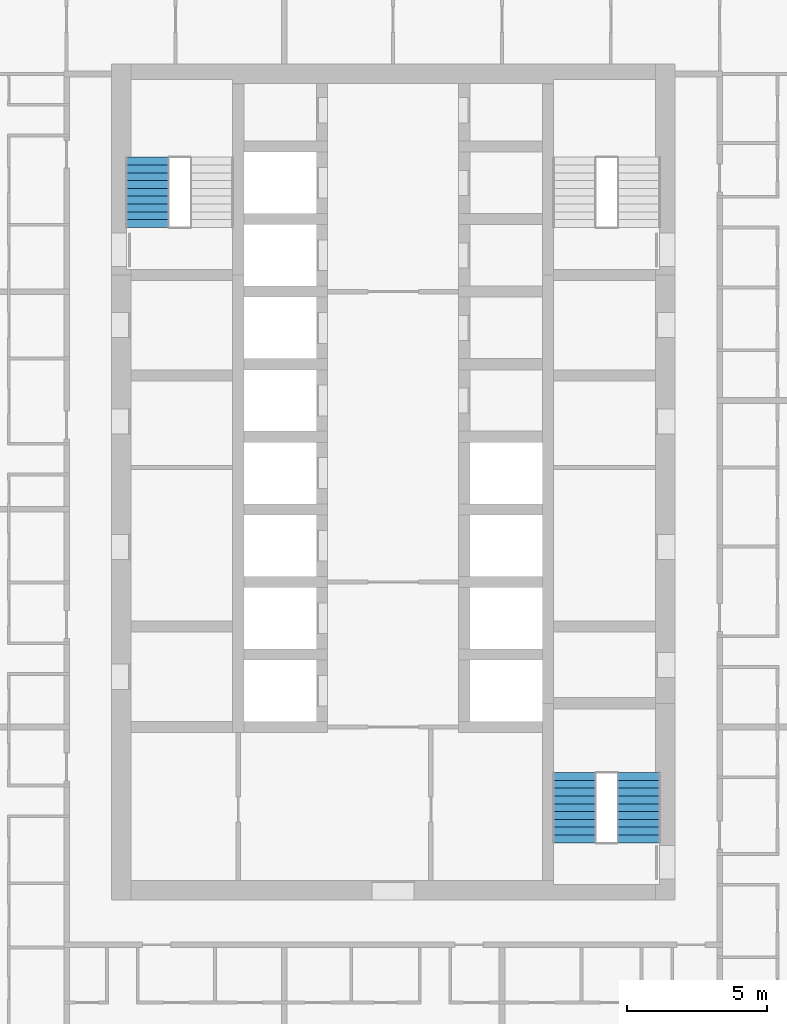
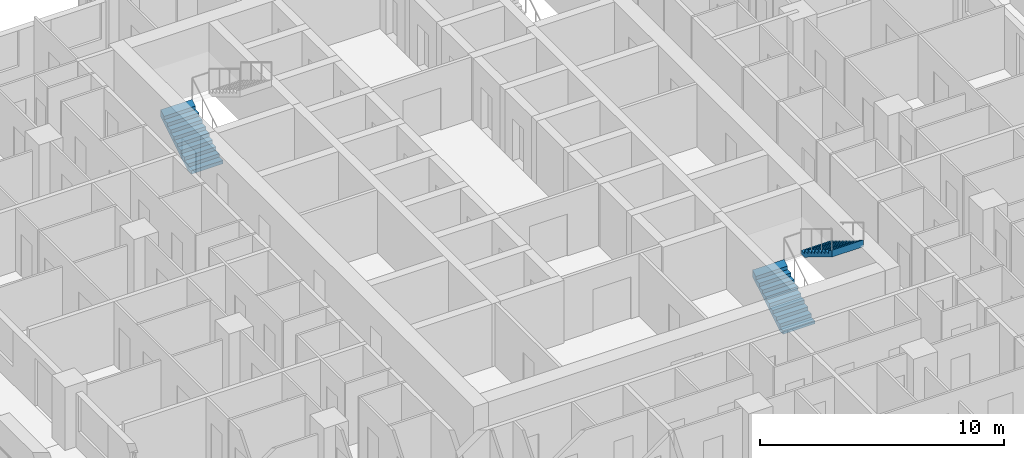
# One storey, part 14 of 17: 3 stair flights, 2 elements without a shape of their own.
"""IFC4 building model written with IfcOpenShell, lengths in metres."""

from ifc_helpers import new_model, si_unit, direction, frame, origin, place, context, subcontext, project, spatial, triangles, material, type_object, element, aggregate, save


model = new_model("IFC4")

# Units and contexts
model_context = context("Model", 3, precision=1e-05, world=origin(), true_north=direction((0.0, 1.0)))
body_context = subcontext(model_context, "Body", "Model", "MODEL_VIEW")
ifc_project = project(units=[si_unit("LENGTHUNIT", "METRE"), si_unit("AREAUNIT", "SQUARE_METRE"), si_unit("VOLUMEUNIT", "CUBIC_METRE"), si_unit("PLANEANGLEUNIT", "RADIAN"), si_unit("MASSUNIT", "GRAM", prefix="KILO")], contexts=[model_context])

# Site, building, storey
site_placement = place(None, origin())
site = spatial("IfcSite", under=ifc_project, at=site_placement, CompositionType="ELEMENT")
building_placement = place(site_placement, origin())
building = spatial("IfcBuilding", under=site, at=building_placement, Name="Ludao Terraces", CompositionType="ELEMENT")
storey_placement = place(building_placement, frame((0.0, 0.0, 39.89990234375)))
storey = spatial("IfcBuildingStorey", under=building, at=storey_placement, Name="L10", CompositionType="ELEMENT", Elevation=39.89990234375)

# Stair, stair flight
ifc_material = material(Name="Concrete C40", Category="concrete")
stair_type = type_object("IfcStairType", Name="INT Stair", PredefinedType="HALF_TURN_STAIR", material=ifc_material)
stair_1_placement = place(storey_placement, origin())
stair_1 = element("IfcStair", 1, at=stair_1_placement, inside=storey, type_object=stair_type, Name="EXIT STAIR 1", PredefinedType="HALF_TURN_STAIR")
stair_flight_type = type_object("IfcStairFlightType", Name="INT Stair flight", PredefinedType="STRAIGHT", material=ifc_material)
stair_flight_1_placement = place(storey_placement, frame((76.199951171875, 79.0, 0.0), z_axis=(0.0, 0.0, 1.0), x_axis=(0.0, 1.0, 0.0)))
stair_flight_1 = element("IfcStairFlight", 2, at=stair_flight_1_placement, type_object=stair_flight_type, Name="ST1 flight 1", NumberOfRisers=10, NumberOfTreads=9, PredefinedType="STRAIGHT", RiserHeight=0.17, TreadLength=0.28, context=body_context, shape_type="Tessellation", body=[
    triangles([(0.0, -0.75, 0.0), (0.0, -0.5, 0.0), (0.0, -0.25, 0.0), (0.0, 0.0, 0.0), (0.0, 0.25, 0.0), (0.0, 0.5, 0.0), (0.0, 0.75, 0.0), (0.0, -0.75, 0.169921875), (0.0, -0.5, 0.169921875), (0.0, -0.25, 0.169921875), (0.0, 0.0, 0.169921875), (0.0, 0.25, 0.169921875), (0.0, 0.5, 0.169921875), (0.0, 0.75, 0.169921875), (0.280029296875, -0.75, 0.169921875), (0.280029296875, -0.5, 0.169921875), (0.280029296875, -0.25, 0.169921875), (0.280029296875, 0.0, 0.169921875), (0.280029296875, 0.25, 0.169921875), (0.280029296875, 0.5, 0.169921875), (0.280029296875, 0.75, 0.169921875), (0.280029296875, -0.75, 0.340087890625), (0.280029296875, -0.5, 0.340087890625), (0.280029296875, -0.25, 0.340087890625), (0.280029296875, 0.0, 0.340087890625), (0.280029296875, 0.25, 0.340087890625), (0.280029296875, 0.5, 0.340087890625), (0.280029296875, 0.75, 0.340087890625), (0.56005859375, -0.75, 0.340087890625), (0.56005859375, -0.5, 0.340087890625), (0.56005859375, -0.25, 0.340087890625), (0.56005859375, 0.0, 0.340087890625), (0.56005859375, 0.25, 0.340087890625), (0.56005859375, 0.5, 0.340087890625), (0.56005859375, 0.75, 0.340087890625), (0.56005859375, -0.75, 0.510009765625), (0.56005859375, -0.5, 0.510009765625), (0.56005859375, -0.25, 0.510009765625), (0.56005859375, 0.0, 0.510009765625), (0.56005859375, 0.25, 0.510009765625), (0.56005859375, 0.5, 0.510009765625), (0.56005859375, 0.75, 0.510009765625), (0.840087890625, -0.75, 0.510009765625), (0.840087890625, -0.5, 0.510009765625), (0.840087890625, -0.25, 0.510009765625), (0.840087890625, 0.0, 0.510009765625), (0.840087890625, 0.25, 0.510009765625), (0.840087890625, 0.5, 0.510009765625), (0.840087890625, 0.75, 0.510009765625), (0.840087890625, -0.75, 0.679931640625), (0.840087890625, -0.5, 0.679931640625), (0.840087890625, -0.25, 0.679931640625), (0.840087890625, 0.0, 0.679931640625), (0.840087890625, 0.25, 0.679931640625), (0.840087890625, 0.5, 0.679931640625), (0.840087890625, 0.75, 0.679931640625), (1.1201171875, -0.75, 0.679931640625), (1.1201171875, -0.5, 0.679931640625), (1.1201171875, -0.25, 0.679931640625), (1.1201171875, 0.0, 0.679931640625), (1.1201171875, 0.25, 0.679931640625), (1.1201171875, 0.5, 0.679931640625), (1.1201171875, 0.75, 0.679931640625), (1.1201171875, -0.75, 0.85009765625), (1.1201171875, -0.5, 0.85009765625), (1.1201171875, -0.25, 0.85009765625), (1.1201171875, 0.0, 0.85009765625), (1.1201171875, 0.25, 0.85009765625), (1.1201171875, 0.5, 0.85009765625), (1.1201171875, 0.75, 0.85009765625), (1.39990234375, -0.75, 0.85009765625), (1.39990234375, -0.5, 0.85009765625), (1.39990234375, -0.25, 0.85009765625), (1.39990234375, 0.0, 0.85009765625), (1.39990234375, 0.25, 0.85009765625), (1.39990234375, 0.5, 0.85009765625), (1.39990234375, 0.75, 0.85009765625), (1.39990234375, -0.75, 1.02001953125), (1.39990234375, -0.5, 1.02001953125), (1.39990234375, -0.25, 1.02001953125), (1.39990234375, 0.0, 1.02001953125), (1.39990234375, 0.25, 1.02001953125), (1.39990234375, 0.5, 1.02001953125), (1.39990234375, 0.75, 1.02001953125), (1.679931640625, -0.75, 1.02001953125), (1.679931640625, -0.5, 1.02001953125), (1.679931640625, -0.25, 1.02001953125), (1.679931640625, 0.0, 1.02001953125), (1.679931640625, 0.25, 1.02001953125), (1.679931640625, 0.5, 1.02001953125), (1.679931640625, 0.75, 1.02001953125), (1.679931640625, -0.75, 1.18994140625), (1.679931640625, -0.5, 1.18994140625), (1.679931640625, -0.25, 1.18994140625), (1.679931640625, 0.0, 1.18994140625), (1.679931640625, 0.25, 1.18994140625), (1.679931640625, 0.5, 1.18994140625), (1.679931640625, 0.75, 1.18994140625), (1.9599609375, -0.75, 1.18994140625), (1.9599609375, -0.5, 1.18994140625), (1.9599609375, -0.25, 1.18994140625), (1.9599609375, 0.0, 1.18994140625), (1.9599609375, 0.25, 1.18994140625), (1.9599609375, 0.5, 1.18994140625), (1.9599609375, 0.75, 1.18994140625), (1.9599609375, -0.75, 1.360107421875), (1.9599609375, -0.5, 1.360107421875), (1.9599609375, -0.25, 1.360107421875), (1.9599609375, 0.0, 1.360107421875), (1.9599609375, 0.25, 1.360107421875), (1.9599609375, 0.5, 1.360107421875), (1.9599609375, 0.75, 1.360107421875), (2.239990234375, -0.75, 1.360107421875), (2.239990234375, -0.5, 1.360107421875), (2.239990234375, -0.25, 1.360107421875), (2.239990234375, 0.0, 1.360107421875), (2.239990234375, 0.25, 1.360107421875), (2.239990234375, 0.5, 1.360107421875), (2.239990234375, 0.75, 1.360107421875), (2.239990234375, -0.75, 1.530029296875), (2.239990234375, -0.5, 1.530029296875), (2.239990234375, -0.25, 1.530029296875), (2.239990234375, 0.0, 1.530029296875), (2.239990234375, 0.25, 1.530029296875), (2.239990234375, 0.5, 1.530029296875), (2.239990234375, 0.75, 1.530029296875), (2.52001953125, -0.75, 1.699951171875), (2.52001953125, -0.5, 1.699951171875), (2.52001953125, -0.25, 1.699951171875), (2.52001953125, 0.0, 1.699951171875), (2.52001953125, 0.25, 1.699951171875), (2.52001953125, 0.5, 1.699951171875), (2.52001953125, 0.75, 1.699951171875), (2.52001953125, -0.75, 1.354736328125), (2.52001953125, -0.5, 1.354736328125), (2.52001953125, -0.25, 1.354736328125), (2.52001953125, 0.0, 1.354736328125), (2.52001953125, 0.25, 1.354736328125), (2.52001953125, 0.5, 1.354736328125), (2.52001953125, 0.75, 1.354736328125), (0.288818359375, -0.75, 0.0), (0.288818359375, -0.5, 0.0), (0.288818359375, -0.25, 0.0), (0.288818359375, 0.0, 0.0), (0.288818359375, 0.25, 0.0), (0.288818359375, 0.5, 0.0), (0.288818359375, 0.75, 0.0)], [[1, 141, 134], [7, 140, 147], [134, 127, 120], [140, 126, 133], [134, 120, 113], [140, 119, 126], [134, 113, 106], [140, 112, 119], [134, 106, 99], [140, 105, 112], [99, 92, 85], [105, 91, 98], [134, 99, 85], [140, 91, 105], [85, 78, 71], [91, 77, 84], [134, 85, 71], [140, 77, 91], [71, 64, 57], [77, 63, 70], [134, 71, 57], [140, 63, 77], [57, 50, 43], [63, 49, 56], [134, 57, 43], [140, 49, 63], [43, 36, 29], [49, 35, 42], [134, 43, 29], [140, 35, 49], [29, 22, 15], [35, 21, 28], [134, 29, 15], [140, 21, 35], [1, 134, 15], [7, 21, 140], [15, 8, 1], [21, 7, 14], [1, 9, 2], [1, 8, 9], [2, 10, 3], [2, 9, 10], [3, 11, 4], [3, 10, 11], [4, 12, 5], [4, 11, 12], [5, 13, 6], [5, 12, 13], [6, 14, 7], [6, 13, 14], [8, 16, 9], [8, 15, 16], [9, 17, 10], [9, 16, 17], [10, 18, 11], [10, 17, 18], [11, 19, 12], [11, 18, 19], [12, 20, 13], [12, 19, 20], [13, 21, 14], [13, 20, 21], [15, 23, 16], [15, 22, 23], [16, 24, 17], [16, 23, 24], [17, 25, 18], [17, 24, 25], [18, 26, 19], [18, 25, 26], [19, 27, 20], [19, 26, 27], [20, 28, 21], [20, 27, 28], [22, 30, 23], [22, 29, 30], [23, 31, 24], [23, 30, 31], [24, 32, 25], [24, 31, 32], [25, 33, 26], [25, 32, 33], [26, 34, 27], [26, 33, 34], [27, 35, 28], [27, 34, 35], [29, 37, 30], [29, 36, 37], [30, 38, 31], [30, 37, 38], [31, 39, 32], [31, 38, 39], [32, 40, 33], [32, 39, 40], [33, 41, 34], [33, 40, 41], [34, 42, 35], [34, 41, 42], [36, 44, 37], [36, 43, 44], [37, 45, 38], [37, 44, 45], [38, 46, 39], [38, 45, 46], [39, 47, 40], [39, 46, 47], [40, 48, 41], [40, 47, 48], [41, 49, 42], [41, 48, 49], [43, 51, 44], [43, 50, 51], [44, 52, 45], [44, 51, 52], [45, 53, 46], [45, 52, 53], [46, 54, 47], [46, 53, 54], [47, 55, 48], [47, 54, 55], [48, 56, 49], [48, 55, 56], [50, 58, 51], [50, 57, 58], [51, 59, 52], [51, 58, 59], [52, 60, 53], [52, 59, 60], [53, 61, 54], [53, 60, 61], [54, 62, 55], [54, 61, 62], [55, 63, 56], [55, 62, 63], [57, 65, 58], [57, 64, 65], [58, 66, 59], [58, 65, 66], [59, 67, 60], [59, 66, 67], [60, 68, 61], [60, 67, 68], [61, 69, 62], [61, 68, 69], [62, 70, 63], [62, 69, 70], [64, 72, 65], [64, 71, 72], [65, 73, 66], [65, 72, 73], [66, 74, 67], [66, 73, 74], [67, 75, 68], [67, 74, 75], [68, 76, 69], [68, 75, 76], [69, 77, 70], [69, 76, 77], [71, 79, 72], [71, 78, 79], [72, 80, 73], [72, 79, 80], [73, 81, 74], [73, 80, 81], [74, 82, 75], [74, 81, 82], [75, 83, 76], [75, 82, 83], [76, 84, 77], [76, 83, 84], [78, 86, 79], [78, 85, 86], [79, 87, 80], [79, 86, 87], [80, 88, 81], [80, 87, 88], [81, 89, 82], [81, 88, 89], [82, 90, 83], [82, 89, 90], [83, 91, 84], [83, 90, 91], [85, 93, 86], [85, 92, 93], [86, 94, 87], [86, 93, 94], [87, 95, 88], [87, 94, 95], [88, 96, 89], [88, 95, 96], [89, 97, 90], [89, 96, 97], [90, 98, 91], [90, 97, 98], [92, 100, 93], [92, 99, 100], [93, 101, 94], [93, 100, 101], [94, 102, 95], [94, 101, 102], [95, 103, 96], [95, 102, 103], [96, 104, 97], [96, 103, 104], [97, 105, 98], [97, 104, 105], [99, 107, 100], [99, 106, 107], [100, 108, 101], [100, 107, 108], [101, 109, 102], [101, 108, 109], [102, 110, 103], [102, 109, 110], [103, 111, 104], [103, 110, 111], [104, 112, 105], [104, 111, 112], [106, 114, 107], [106, 113, 114], [107, 115, 108], [107, 114, 115], [108, 116, 109], [108, 115, 116], [109, 117, 110], [109, 116, 117], [110, 118, 111], [110, 117, 118], [111, 119, 112], [111, 118, 119], [113, 121, 114], [113, 120, 121], [114, 122, 115], [114, 121, 122], [115, 123, 116], [115, 122, 123], [116, 124, 117], [116, 123, 124], [117, 125, 118], [117, 124, 125], [118, 126, 119], [118, 125, 126], [120, 128, 121], [120, 127, 128], [121, 129, 122], [121, 128, 129], [122, 130, 123], [122, 129, 130], [123, 131, 124], [123, 130, 131], [124, 132, 125], [124, 131, 132], [125, 133, 126], [125, 132, 133], [127, 135, 128], [127, 134, 135], [128, 136, 129], [128, 135, 136], [129, 137, 130], [129, 136, 137], [130, 138, 131], [130, 137, 138], [131, 139, 132], [131, 138, 139], [132, 140, 133], [132, 139, 140], [134, 142, 135], [134, 141, 142], [135, 143, 136], [135, 142, 143], [136, 144, 137], [136, 143, 144], [137, 145, 138], [137, 144, 145], [138, 146, 139], [138, 145, 146], [139, 147, 140], [139, 146, 147], [141, 2, 142], [141, 1, 2], [142, 3, 143], [142, 2, 3], [143, 4, 144], [143, 3, 4], [144, 5, 145], [144, 4, 5], [145, 6, 146], [145, 5, 6], [146, 7, 147], [146, 6, 7]], closed=True),
])
aggregate(stair_1, [stair_flight_1])

# Stair, stair flights
stair_2_placement = place(storey_placement, origin())
stair_2 = element("IfcStair", 3, at=stair_2_placement, inside=storey, type_object=stair_type, Name="EXIT STAIR 3", PredefinedType="HALF_TURN_STAIR")
stair_flight_2_placement = place(storey_placement, frame((91.5, 56.949951171875, 0.0), z_axis=(0.0, 0.0, 1.0), x_axis=(0.0, 1.0, 0.0)))
stair_flight_2 = element("IfcStairFlight", 4, at=stair_flight_2_placement, type_object=stair_flight_type, Name="ST3 flight 1", NumberOfRisers=10, NumberOfTreads=9, PredefinedType="STRAIGHT", RiserHeight=0.17, TreadLength=0.28, context=body_context, shape_type="Tessellation", body=[
    triangles([(0.0, -0.75, 0.0), (0.0, -0.5, 0.0), (0.0, -0.25, 0.0), (0.0, 0.0, 0.0), (0.0, 0.25, 0.0), (0.0, 0.5, 0.0), (0.0, 0.75, 0.0), (0.0, -0.75, 0.169921875), (0.0, -0.5, 0.169921875), (0.0, -0.25, 0.169921875), (0.0, 0.0, 0.169921875), (0.0, 0.25, 0.169921875), (0.0, 0.5, 0.169921875), (0.0, 0.75, 0.169921875), (0.280029296875, -0.75, 0.169921875), (0.280029296875, -0.5, 0.169921875), (0.280029296875, -0.25, 0.169921875), (0.280029296875, 0.0, 0.169921875), (0.280029296875, 0.25, 0.169921875), (0.280029296875, 0.5, 0.169921875), (0.280029296875, 0.75, 0.169921875), (0.280029296875, -0.75, 0.340087890625), (0.280029296875, -0.5, 0.340087890625), (0.280029296875, -0.25, 0.340087890625), (0.280029296875, 0.0, 0.340087890625), (0.280029296875, 0.25, 0.340087890625), (0.280029296875, 0.5, 0.340087890625), (0.280029296875, 0.75, 0.340087890625), (0.56005859375, -0.75, 0.340087890625), (0.56005859375, -0.5, 0.340087890625), (0.56005859375, -0.25, 0.340087890625), (0.56005859375, 0.0, 0.340087890625), (0.56005859375, 0.25, 0.340087890625), (0.56005859375, 0.5, 0.340087890625), (0.56005859375, 0.75, 0.340087890625), (0.56005859375, -0.75, 0.510009765625), (0.56005859375, -0.5, 0.510009765625), (0.56005859375, -0.25, 0.510009765625), (0.56005859375, 0.0, 0.510009765625), (0.56005859375, 0.25, 0.510009765625), (0.56005859375, 0.5, 0.510009765625), (0.56005859375, 0.75, 0.510009765625), (0.840087890625, -0.75, 0.510009765625), (0.840087890625, -0.5, 0.510009765625), (0.840087890625, -0.25, 0.510009765625), (0.840087890625, 0.0, 0.510009765625), (0.840087890625, 0.25, 0.510009765625), (0.840087890625, 0.5, 0.510009765625), (0.840087890625, 0.75, 0.510009765625), (0.840087890625, -0.75, 0.679931640625), (0.840087890625, -0.5, 0.679931640625), (0.840087890625, -0.25, 0.679931640625), (0.840087890625, 0.0, 0.679931640625), (0.840087890625, 0.25, 0.679931640625), (0.840087890625, 0.5, 0.679931640625), (0.840087890625, 0.75, 0.679931640625), (1.1201171875, -0.75, 0.679931640625), (1.1201171875, -0.5, 0.679931640625), (1.1201171875, -0.25, 0.679931640625), (1.1201171875, 0.0, 0.679931640625), (1.1201171875, 0.25, 0.679931640625), (1.1201171875, 0.5, 0.679931640625), (1.1201171875, 0.75, 0.679931640625), (1.1201171875, -0.75, 0.85009765625), (1.1201171875, -0.5, 0.85009765625), (1.1201171875, -0.25, 0.85009765625), (1.1201171875, 0.0, 0.85009765625), (1.1201171875, 0.25, 0.85009765625), (1.1201171875, 0.5, 0.85009765625), (1.1201171875, 0.75, 0.85009765625), (1.39990234375, -0.75, 0.85009765625), (1.39990234375, -0.5, 0.85009765625), (1.39990234375, -0.25, 0.85009765625), (1.39990234375, 0.0, 0.85009765625), (1.39990234375, 0.25, 0.85009765625), (1.39990234375, 0.5, 0.85009765625), (1.39990234375, 0.75, 0.85009765625), (1.39990234375, -0.75, 1.02001953125), (1.39990234375, -0.5, 1.02001953125), (1.39990234375, -0.25, 1.02001953125), (1.39990234375, 0.0, 1.02001953125), (1.39990234375, 0.25, 1.02001953125), (1.39990234375, 0.5, 1.02001953125), (1.39990234375, 0.75, 1.02001953125), (1.679931640625, -0.75, 1.02001953125), (1.679931640625, -0.5, 1.02001953125), (1.679931640625, -0.25, 1.02001953125), (1.679931640625, 0.0, 1.02001953125), (1.679931640625, 0.25, 1.02001953125), (1.679931640625, 0.5, 1.02001953125), (1.679931640625, 0.75, 1.02001953125), (1.679931640625, -0.75, 1.18994140625), (1.679931640625, -0.5, 1.18994140625), (1.679931640625, -0.25, 1.18994140625), (1.679931640625, 0.0, 1.18994140625), (1.679931640625, 0.25, 1.18994140625), (1.679931640625, 0.5, 1.18994140625), (1.679931640625, 0.75, 1.18994140625), (1.9599609375, -0.75, 1.18994140625), (1.9599609375, -0.5, 1.18994140625), (1.9599609375, -0.25, 1.18994140625), (1.9599609375, 0.0, 1.18994140625), (1.9599609375, 0.25, 1.18994140625), (1.9599609375, 0.5, 1.18994140625), (1.9599609375, 0.75, 1.18994140625), (1.9599609375, -0.75, 1.360107421875), (1.9599609375, -0.5, 1.360107421875), (1.9599609375, -0.25, 1.360107421875), (1.9599609375, 0.0, 1.360107421875), (1.9599609375, 0.25, 1.360107421875), (1.9599609375, 0.5, 1.360107421875), (1.9599609375, 0.75, 1.360107421875), (2.239990234375, -0.75, 1.360107421875), (2.239990234375, -0.5, 1.360107421875), (2.239990234375, -0.25, 1.360107421875), (2.239990234375, 0.0, 1.360107421875), (2.239990234375, 0.25, 1.360107421875), (2.239990234375, 0.5, 1.360107421875), (2.239990234375, 0.75, 1.360107421875), (2.239990234375, -0.75, 1.530029296875), (2.239990234375, -0.5, 1.530029296875), (2.239990234375, -0.25, 1.530029296875), (2.239990234375, 0.0, 1.530029296875), (2.239990234375, 0.25, 1.530029296875), (2.239990234375, 0.5, 1.530029296875), (2.239990234375, 0.75, 1.530029296875), (2.52001953125, -0.75, 1.699951171875), (2.52001953125, -0.5, 1.699951171875), (2.52001953125, -0.25, 1.699951171875), (2.52001953125, 0.0, 1.699951171875), (2.52001953125, 0.25, 1.699951171875), (2.52001953125, 0.5, 1.699951171875), (2.52001953125, 0.75, 1.699951171875), (2.52001953125, -0.75, 1.354736328125), (2.52001953125, -0.5, 1.354736328125), (2.52001953125, -0.25, 1.354736328125), (2.52001953125, 0.0, 1.354736328125), (2.52001953125, 0.25, 1.354736328125), (2.52001953125, 0.5, 1.354736328125), (2.52001953125, 0.75, 1.354736328125), (0.288818359375, -0.75, 0.0), (0.288818359375, -0.5, 0.0), (0.288818359375, -0.25, 0.0), (0.288818359375, 0.0, 0.0), (0.288818359375, 0.25, 0.0), (0.288818359375, 0.5, 0.0), (0.288818359375, 0.75, 0.0)], [[1, 141, 134], [7, 140, 147], [134, 127, 120], [140, 126, 133], [134, 120, 113], [140, 119, 126], [134, 113, 106], [140, 112, 119], [134, 106, 99], [140, 105, 112], [99, 92, 85], [105, 91, 98], [134, 99, 85], [140, 91, 105], [85, 78, 71], [91, 77, 84], [134, 85, 71], [140, 77, 91], [71, 64, 57], [77, 63, 70], [134, 71, 57], [140, 63, 77], [57, 50, 43], [63, 49, 56], [134, 57, 43], [140, 49, 63], [43, 36, 29], [49, 35, 42], [134, 43, 29], [140, 35, 49], [29, 22, 15], [35, 21, 28], [134, 29, 15], [140, 21, 35], [1, 134, 15], [7, 21, 140], [15, 8, 1], [21, 7, 14], [1, 9, 2], [1, 8, 9], [2, 10, 3], [2, 9, 10], [3, 11, 4], [3, 10, 11], [4, 12, 5], [4, 11, 12], [5, 13, 6], [5, 12, 13], [6, 14, 7], [6, 13, 14], [8, 16, 9], [8, 15, 16], [9, 17, 10], [9, 16, 17], [10, 18, 11], [10, 17, 18], [11, 19, 12], [11, 18, 19], [12, 20, 13], [12, 19, 20], [13, 21, 14], [13, 20, 21], [15, 23, 16], [15, 22, 23], [16, 24, 17], [16, 23, 24], [17, 25, 18], [17, 24, 25], [18, 26, 19], [18, 25, 26], [19, 27, 20], [19, 26, 27], [20, 28, 21], [20, 27, 28], [22, 30, 23], [22, 29, 30], [23, 31, 24], [23, 30, 31], [24, 32, 25], [24, 31, 32], [25, 33, 26], [25, 32, 33], [26, 34, 27], [26, 33, 34], [27, 35, 28], [27, 34, 35], [29, 37, 30], [29, 36, 37], [30, 38, 31], [30, 37, 38], [31, 39, 32], [31, 38, 39], [32, 40, 33], [32, 39, 40], [33, 41, 34], [33, 40, 41], [34, 42, 35], [34, 41, 42], [36, 44, 37], [36, 43, 44], [37, 45, 38], [37, 44, 45], [38, 46, 39], [38, 45, 46], [39, 47, 40], [39, 46, 47], [40, 48, 41], [40, 47, 48], [41, 49, 42], [41, 48, 49], [43, 51, 44], [43, 50, 51], [44, 52, 45], [44, 51, 52], [45, 53, 46], [45, 52, 53], [46, 54, 47], [46, 53, 54], [47, 55, 48], [47, 54, 55], [48, 56, 49], [48, 55, 56], [50, 58, 51], [50, 57, 58], [51, 59, 52], [51, 58, 59], [52, 60, 53], [52, 59, 60], [53, 61, 54], [53, 60, 61], [54, 62, 55], [54, 61, 62], [55, 63, 56], [55, 62, 63], [57, 65, 58], [57, 64, 65], [58, 66, 59], [58, 65, 66], [59, 67, 60], [59, 66, 67], [60, 68, 61], [60, 67, 68], [61, 69, 62], [61, 68, 69], [62, 70, 63], [62, 69, 70], [64, 72, 65], [64, 71, 72], [65, 73, 66], [65, 72, 73], [66, 74, 67], [66, 73, 74], [67, 75, 68], [67, 74, 75], [68, 76, 69], [68, 75, 76], [69, 77, 70], [69, 76, 77], [71, 79, 72], [71, 78, 79], [72, 80, 73], [72, 79, 80], [73, 81, 74], [73, 80, 81], [74, 82, 75], [74, 81, 82], [75, 83, 76], [75, 82, 83], [76, 84, 77], [76, 83, 84], [78, 86, 79], [78, 85, 86], [79, 87, 80], [79, 86, 87], [80, 88, 81], [80, 87, 88], [81, 89, 82], [81, 88, 89], [82, 90, 83], [82, 89, 90], [83, 91, 84], [83, 90, 91], [85, 93, 86], [85, 92, 93], [86, 94, 87], [86, 93, 94], [87, 95, 88], [87, 94, 95], [88, 96, 89], [88, 95, 96], [89, 97, 90], [89, 96, 97], [90, 98, 91], [90, 97, 98], [92, 100, 93], [92, 99, 100], [93, 101, 94], [93, 100, 101], [94, 102, 95], [94, 101, 102], [95, 103, 96], [95, 102, 103], [96, 104, 97], [96, 103, 104], [97, 105, 98], [97, 104, 105], [99, 107, 100], [99, 106, 107], [100, 108, 101], [100, 107, 108], [101, 109, 102], [101, 108, 109], [102, 110, 103], [102, 109, 110], [103, 111, 104], [103, 110, 111], [104, 112, 105], [104, 111, 112], [106, 114, 107], [106, 113, 114], [107, 115, 108], [107, 114, 115], [108, 116, 109], [108, 115, 116], [109, 117, 110], [109, 116, 117], [110, 118, 111], [110, 117, 118], [111, 119, 112], [111, 118, 119], [113, 121, 114], [113, 120, 121], [114, 122, 115], [114, 121, 122], [115, 123, 116], [115, 122, 123], [116, 124, 117], [116, 123, 124], [117, 125, 118], [117, 124, 125], [118, 126, 119], [118, 125, 126], [120, 128, 121], [120, 127, 128], [121, 129, 122], [121, 128, 129], [122, 130, 123], [122, 129, 130], [123, 131, 124], [123, 130, 131], [124, 132, 125], [124, 131, 132], [125, 133, 126], [125, 132, 133], [127, 135, 128], [127, 134, 135], [128, 136, 129], [128, 135, 136], [129, 137, 130], [129, 136, 137], [130, 138, 131], [130, 137, 138], [131, 139, 132], [131, 138, 139], [132, 140, 133], [132, 139, 140], [134, 142, 135], [134, 141, 142], [135, 143, 136], [135, 142, 143], [136, 144, 137], [136, 143, 144], [137, 145, 138], [137, 144, 145], [138, 146, 139], [138, 145, 146], [139, 147, 140], [139, 146, 147], [141, 2, 142], [141, 1, 2], [142, 3, 143], [142, 2, 3], [143, 4, 144], [143, 3, 4], [144, 5, 145], [144, 4, 5], [145, 6, 146], [145, 5, 6], [146, 7, 147], [146, 6, 7]], closed=True),
])
stair_flight_3_placement = place(storey_placement, frame((93.800048828125, 59.469970703125, 1.7001953125), z_axis=(0.0, 0.0, 1.0), x_axis=(0.0, -1.0, 0.0)))
stair_flight_3 = element("IfcStairFlight", 5, at=stair_flight_3_placement, type_object=stair_flight_type, Name="ST3 flight 2", NumberOfRisers=10, NumberOfTreads=9, PredefinedType="STRAIGHT", RiserHeight=0.17, TreadLength=0.28, context=body_context, shape_type="Tessellation", body=[
    triangles([(0.0, -0.75, 0.0), (0.0, -0.5, 0.0), (0.0, -0.25, 0.0), (0.0, 0.0, 0.0), (0.0, 0.25, 0.0), (0.0, 0.5, 0.0), (0.0, 0.75, 0.0), (0.0, -0.75, 0.169921875), (0.0, -0.5, 0.169921875), (0.0, -0.25, 0.169921875), (0.0, 0.0, 0.169921875), (0.0, 0.25, 0.169921875), (0.0, 0.5, 0.169921875), (0.0, 0.75, 0.169921875), (0.280029296875, -0.75, 0.169921875), (0.280029296875, -0.5, 0.169921875), (0.280029296875, -0.25, 0.169921875), (0.280029296875, 0.0, 0.169921875), (0.280029296875, 0.25, 0.169921875), (0.280029296875, 0.5, 0.169921875), (0.280029296875, 0.75, 0.169921875), (0.280029296875, -0.75, 0.340087890625), (0.280029296875, -0.5, 0.340087890625), (0.280029296875, -0.25, 0.340087890625), (0.280029296875, 0.0, 0.340087890625), (0.280029296875, 0.25, 0.340087890625), (0.280029296875, 0.5, 0.340087890625), (0.280029296875, 0.75, 0.340087890625), (0.56005859375, -0.75, 0.340087890625), (0.56005859375, -0.5, 0.340087890625), (0.56005859375, -0.25, 0.340087890625), (0.56005859375, 0.0, 0.340087890625), (0.56005859375, 0.25, 0.340087890625), (0.56005859375, 0.5, 0.340087890625), (0.56005859375, 0.75, 0.340087890625), (0.56005859375, -0.75, 0.510009765625), (0.56005859375, -0.5, 0.510009765625), (0.56005859375, -0.25, 0.510009765625), (0.56005859375, 0.0, 0.510009765625), (0.56005859375, 0.25, 0.510009765625), (0.56005859375, 0.5, 0.510009765625), (0.56005859375, 0.75, 0.510009765625), (0.840087890625, -0.75, 0.510009765625), (0.840087890625, -0.5, 0.510009765625), (0.840087890625, -0.25, 0.510009765625), (0.840087890625, 0.0, 0.510009765625), (0.840087890625, 0.25, 0.510009765625), (0.840087890625, 0.5, 0.510009765625), (0.840087890625, 0.75, 0.510009765625), (0.840087890625, -0.75, 0.679931640625), (0.840087890625, -0.5, 0.679931640625), (0.840087890625, -0.25, 0.679931640625), (0.840087890625, 0.0, 0.679931640625), (0.840087890625, 0.25, 0.679931640625), (0.840087890625, 0.5, 0.679931640625), (0.840087890625, 0.75, 0.679931640625), (1.1201171875, -0.75, 0.679931640625), (1.1201171875, -0.5, 0.679931640625), (1.1201171875, -0.25, 0.679931640625), (1.1201171875, 0.0, 0.679931640625), (1.1201171875, 0.25, 0.679931640625), (1.1201171875, 0.5, 0.679931640625), (1.1201171875, 0.75, 0.679931640625), (1.1201171875, -0.75, 0.85009765625), (1.1201171875, -0.5, 0.85009765625), (1.1201171875, -0.25, 0.85009765625), (1.1201171875, 0.0, 0.85009765625), (1.1201171875, 0.25, 0.85009765625), (1.1201171875, 0.5, 0.85009765625), (1.1201171875, 0.75, 0.85009765625), (1.39990234375, -0.75, 0.85009765625), (1.39990234375, -0.5, 0.85009765625), (1.39990234375, -0.25, 0.85009765625), (1.39990234375, 0.0, 0.85009765625), (1.39990234375, 0.25, 0.85009765625), (1.39990234375, 0.5, 0.85009765625), (1.39990234375, 0.75, 0.85009765625), (1.39990234375, -0.75, 1.02001953125), (1.39990234375, -0.5, 1.02001953125), (1.39990234375, -0.25, 1.02001953125), (1.39990234375, 0.0, 1.02001953125), (1.39990234375, 0.25, 1.02001953125), (1.39990234375, 0.5, 1.02001953125), (1.39990234375, 0.75, 1.02001953125), (1.679931640625, -0.75, 1.02001953125), (1.679931640625, -0.5, 1.02001953125), (1.679931640625, -0.25, 1.02001953125), (1.679931640625, 0.0, 1.02001953125), (1.679931640625, 0.25, 1.02001953125), (1.679931640625, 0.5, 1.02001953125), (1.679931640625, 0.75, 1.02001953125), (1.679931640625, -0.75, 1.18994140625), (1.679931640625, -0.5, 1.18994140625), (1.679931640625, -0.25, 1.18994140625), (1.679931640625, 0.0, 1.18994140625), (1.679931640625, 0.25, 1.18994140625), (1.679931640625, 0.5, 1.18994140625), (1.679931640625, 0.75, 1.18994140625), (1.9599609375, -0.75, 1.18994140625), (1.9599609375, -0.5, 1.18994140625), (1.9599609375, -0.25, 1.18994140625), (1.9599609375, 0.0, 1.18994140625), (1.9599609375, 0.25, 1.18994140625), (1.9599609375, 0.5, 1.18994140625), (1.9599609375, 0.75, 1.18994140625), (1.9599609375, -0.75, 1.360107421875), (1.9599609375, -0.5, 1.360107421875), (1.9599609375, -0.25, 1.360107421875), (1.9599609375, 0.0, 1.360107421875), (1.9599609375, 0.25, 1.360107421875), (1.9599609375, 0.5, 1.360107421875), (1.9599609375, 0.75, 1.360107421875), (2.239990234375, -0.75, 1.360107421875), (2.239990234375, -0.5, 1.360107421875), (2.239990234375, -0.25, 1.360107421875), (2.239990234375, 0.0, 1.360107421875), (2.239990234375, 0.25, 1.360107421875), (2.239990234375, 0.5, 1.360107421875), (2.239990234375, 0.75, 1.360107421875), (2.239990234375, -0.75, 1.530029296875), (2.239990234375, -0.5, 1.530029296875), (2.239990234375, -0.25, 1.530029296875), (2.239990234375, 0.0, 1.530029296875), (2.239990234375, 0.25, 1.530029296875), (2.239990234375, 0.5, 1.530029296875), (2.239990234375, 0.75, 1.530029296875), (2.52001953125, -0.75, 1.699951171875), (2.52001953125, -0.5, 1.699951171875), (2.52001953125, -0.25, 1.699951171875), (2.52001953125, 0.0, 1.699951171875), (2.52001953125, 0.25, 1.699951171875), (2.52001953125, 0.5, 1.699951171875), (2.52001953125, 0.75, 1.699951171875), (2.52001953125, -0.75, 1.354736328125), (2.52001953125, -0.5, 1.354736328125), (2.52001953125, -0.25, 1.354736328125), (2.52001953125, 0.0, 1.354736328125), (2.52001953125, 0.25, 1.354736328125), (2.52001953125, 0.5, 1.354736328125), (2.52001953125, 0.75, 1.354736328125), (0.288818359375, -0.75, 0.0), (0.288818359375, -0.5, 0.0), (0.288818359375, -0.25, 0.0), (0.288818359375, 0.0, 0.0), (0.288818359375, 0.25, 0.0), (0.288818359375, 0.5, 0.0), (0.288818359375, 0.75, 0.0)], [[1, 141, 134], [7, 140, 147], [134, 127, 120], [140, 126, 133], [134, 120, 113], [140, 119, 126], [134, 113, 106], [140, 112, 119], [134, 106, 99], [140, 105, 112], [99, 92, 85], [105, 91, 98], [134, 99, 85], [140, 91, 105], [85, 78, 71], [91, 77, 84], [134, 85, 71], [140, 77, 91], [71, 64, 57], [77, 63, 70], [134, 71, 57], [140, 63, 77], [57, 50, 43], [63, 49, 56], [134, 57, 43], [140, 49, 63], [43, 36, 29], [49, 35, 42], [134, 43, 29], [140, 35, 49], [29, 22, 15], [35, 21, 28], [134, 29, 15], [140, 21, 35], [1, 134, 15], [7, 21, 140], [15, 8, 1], [21, 7, 14], [1, 9, 2], [1, 8, 9], [2, 10, 3], [2, 9, 10], [3, 11, 4], [3, 10, 11], [4, 12, 5], [4, 11, 12], [5, 13, 6], [5, 12, 13], [6, 14, 7], [6, 13, 14], [8, 16, 9], [8, 15, 16], [9, 17, 10], [9, 16, 17], [10, 18, 11], [10, 17, 18], [11, 19, 12], [11, 18, 19], [12, 20, 13], [12, 19, 20], [13, 21, 14], [13, 20, 21], [15, 23, 16], [15, 22, 23], [16, 24, 17], [16, 23, 24], [17, 25, 18], [17, 24, 25], [18, 26, 19], [18, 25, 26], [19, 27, 20], [19, 26, 27], [20, 28, 21], [20, 27, 28], [22, 30, 23], [22, 29, 30], [23, 31, 24], [23, 30, 31], [24, 32, 25], [24, 31, 32], [25, 33, 26], [25, 32, 33], [26, 34, 27], [26, 33, 34], [27, 35, 28], [27, 34, 35], [29, 37, 30], [29, 36, 37], [30, 38, 31], [30, 37, 38], [31, 39, 32], [31, 38, 39], [32, 40, 33], [32, 39, 40], [33, 41, 34], [33, 40, 41], [34, 42, 35], [34, 41, 42], [36, 44, 37], [36, 43, 44], [37, 45, 38], [37, 44, 45], [38, 46, 39], [38, 45, 46], [39, 47, 40], [39, 46, 47], [40, 48, 41], [40, 47, 48], [41, 49, 42], [41, 48, 49], [43, 51, 44], [43, 50, 51], [44, 52, 45], [44, 51, 52], [45, 53, 46], [45, 52, 53], [46, 54, 47], [46, 53, 54], [47, 55, 48], [47, 54, 55], [48, 56, 49], [48, 55, 56], [50, 58, 51], [50, 57, 58], [51, 59, 52], [51, 58, 59], [52, 60, 53], [52, 59, 60], [53, 61, 54], [53, 60, 61], [54, 62, 55], [54, 61, 62], [55, 63, 56], [55, 62, 63], [57, 65, 58], [57, 64, 65], [58, 66, 59], [58, 65, 66], [59, 67, 60], [59, 66, 67], [60, 68, 61], [60, 67, 68], [61, 69, 62], [61, 68, 69], [62, 70, 63], [62, 69, 70], [64, 72, 65], [64, 71, 72], [65, 73, 66], [65, 72, 73], [66, 74, 67], [66, 73, 74], [67, 75, 68], [67, 74, 75], [68, 76, 69], [68, 75, 76], [69, 77, 70], [69, 76, 77], [71, 79, 72], [71, 78, 79], [72, 80, 73], [72, 79, 80], [73, 81, 74], [73, 80, 81], [74, 82, 75], [74, 81, 82], [75, 83, 76], [75, 82, 83], [76, 84, 77], [76, 83, 84], [78, 86, 79], [78, 85, 86], [79, 87, 80], [79, 86, 87], [80, 88, 81], [80, 87, 88], [81, 89, 82], [81, 88, 89], [82, 90, 83], [82, 89, 90], [83, 91, 84], [83, 90, 91], [85, 93, 86], [85, 92, 93], [86, 94, 87], [86, 93, 94], [87, 95, 88], [87, 94, 95], [88, 96, 89], [88, 95, 96], [89, 97, 90], [89, 96, 97], [90, 98, 91], [90, 97, 98], [92, 100, 93], [92, 99, 100], [93, 101, 94], [93, 100, 101], [94, 102, 95], [94, 101, 102], [95, 103, 96], [95, 102, 103], [96, 104, 97], [96, 103, 104], [97, 105, 98], [97, 104, 105], [99, 107, 100], [99, 106, 107], [100, 108, 101], [100, 107, 108], [101, 109, 102], [101, 108, 109], [102, 110, 103], [102, 109, 110], [103, 111, 104], [103, 110, 111], [104, 112, 105], [104, 111, 112], [106, 114, 107], [106, 113, 114], [107, 115, 108], [107, 114, 115], [108, 116, 109], [108, 115, 116], [109, 117, 110], [109, 116, 117], [110, 118, 111], [110, 117, 118], [111, 119, 112], [111, 118, 119], [113, 121, 114], [113, 120, 121], [114, 122, 115], [114, 121, 122], [115, 123, 116], [115, 122, 123], [116, 124, 117], [116, 123, 124], [117, 125, 118], [117, 124, 125], [118, 126, 119], [118, 125, 126], [120, 128, 121], [120, 127, 128], [121, 129, 122], [121, 128, 129], [122, 130, 123], [122, 129, 130], [123, 131, 124], [123, 130, 131], [124, 132, 125], [124, 131, 132], [125, 133, 126], [125, 132, 133], [127, 135, 128], [127, 134, 135], [128, 136, 129], [128, 135, 136], [129, 137, 130], [129, 136, 137], [130, 138, 131], [130, 137, 138], [131, 139, 132], [131, 138, 139], [132, 140, 133], [132, 139, 140], [134, 142, 135], [134, 141, 142], [135, 143, 136], [135, 142, 143], [136, 144, 137], [136, 143, 144], [137, 145, 138], [137, 144, 145], [138, 146, 139], [138, 145, 146], [139, 147, 140], [139, 146, 147], [141, 2, 142], [141, 1, 2], [142, 3, 143], [142, 2, 3], [143, 4, 144], [143, 3, 4], [144, 5, 145], [144, 4, 5], [145, 6, 146], [145, 5, 6], [146, 7, 147], [146, 6, 7]], closed=True),
])
aggregate(stair_2, [stair_flight_2, stair_flight_3])

save(model, "model.ifc")
